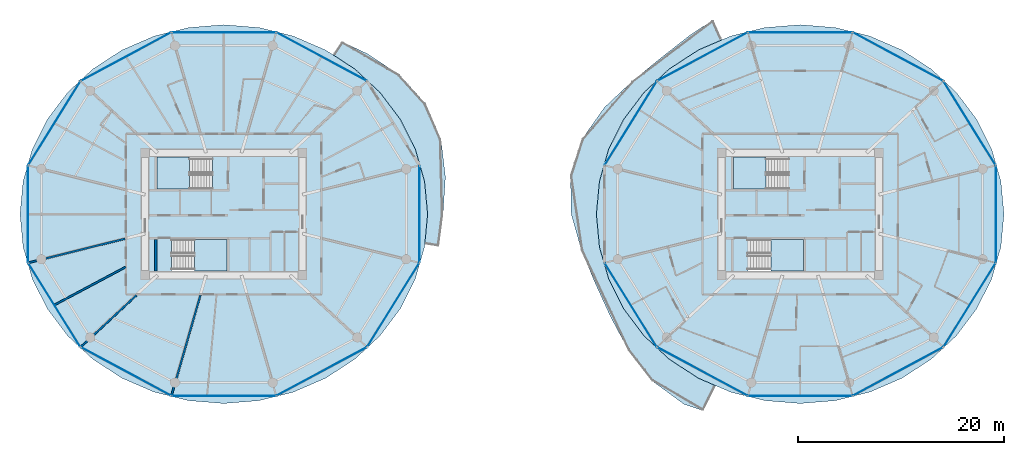
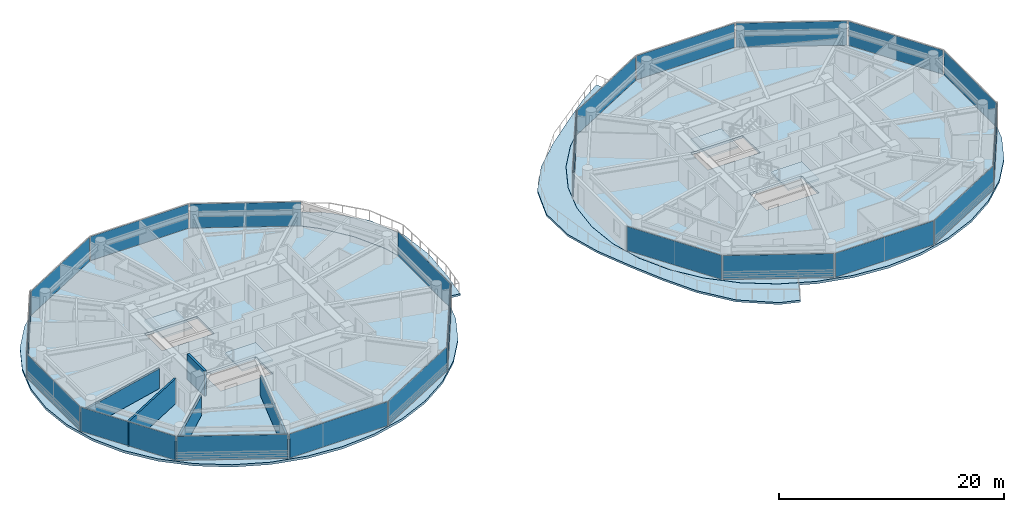
# One storey, part 14 of 26: 22 plates, 8 slabs, 5 walls, 26 elements without a shape of their own.
"""IFC4 building model written with IfcOpenShell, lengths in metres."""

from ifc_helpers import new_model, si_unit, direction, frame, frame_2d, origin, origin_2d, place, context, subcontext, project, spatial, polyline, rectangle, outline, extrude, source, transform, mapped, material, layer, layer_set, type_object, type_shapes, element, aggregate, save


model = new_model("IFC4")

# Units and contexts
model_context = context("Model", 3, precision=1e-05, world=origin(), true_north=direction((0.0, 1.0)))
body_context = subcontext(model_context, "Body", "Model", "MODEL_VIEW")
ifc_project = project(units=[si_unit("LENGTHUNIT", "METRE"), si_unit("AREAUNIT", "SQUARE_METRE"), si_unit("VOLUMEUNIT", "CUBIC_METRE"), si_unit("PLANEANGLEUNIT", "RADIAN"), si_unit("MASSUNIT", "GRAM", prefix="KILO")], contexts=[model_context])

# Site, building, storey
site_placement = place(None, origin())
site = spatial("IfcSite", under=ifc_project, at=site_placement, CompositionType="ELEMENT")
building_placement = place(site_placement, origin())
building = spatial("IfcBuilding", under=site, at=building_placement, Name="Norrkilde Senior Care Towers", CompositionType="ELEMENT")
storey_placement = place(building_placement, frame((0.0, 0.0, 70.39990234375)))
storey = spatial("IfcBuildingStorey", under=building, at=storey_placement, Name="L21", CompositionType="ELEMENT", Elevation=70.39990234375)

# Slabs
ifc_material_1 = material(Name="Concrete C50/60", Category="concrete")
ifc_layer_1 = layer(ifc_material_1, 0.215087890625)
ifc_layer_set_1 = layer_set([ifc_layer_1], Name="Concrete C50/60")
slab_type_1 = type_object("IfcSlabType", Name="Sinusoidal Balcony Ribbon Slab 215", PredefinedType="FLOOR", material=ifc_layer_set_1)
slab_1_placement = place(storey_placement, frame((0.0, 0.0, -0.21484375)))
element("IfcSlab", 1, at=slab_1_placement, inside=storey, type_object=slab_type_1, Name="L21 Drum W Swirling Senior Balcony 1", PredefinedType="FLOOR", context=body_context, shape_type="SweptSolid", body=[
    extrude(outline(polyline([(-10.93359375, 13.541748046875), (-8.39306640625, 10.728271484375), (-6.896240234375, 7.271484375), (-6.466064453125, 3.581298828125), (-6.701904296875, 0.0), (-7.10986328125, -3.129150390625), (-8.470458984375, -2.92529296875), (-8.195068359375, 0.0), (-8.495849609375, 3.196044921875), (-9.389404296875, 6.294921875), (-10.848388671875, 9.202392578125), (-12.828369140625, 11.83056640625), (-15.26953125, 14.09912109375), (-17.376953125, 15.470458984375), (-16.502685546875, 16.74365234375), (-14.097412109375, 15.6025390625), (-10.93359375, 13.541748046875)])), origin(), (0.0, 0.0, 1.0), 0.21484375),
])
slab_2_placement = place(storey_placement, frame((0.0, 0.0, -0.21484375)))
element("IfcSlab", 2, at=slab_2_placement, inside=storey, type_object=slab_type_1, Name="L21 Drum E Swirling Senior Balcony 1", PredefinedType="FLOOR", context=body_context, shape_type="SweptSolid", body=[
    extrude(outline(polyline([(13.623291015625, -16.210693359375), (11.295166015625, -13.215087890625), (9.580322265625, -9.990478515625), (8.11572265625, -6.7939453125), (6.746826171875, -3.52783203125), (5.759765625, 0.0), (5.68115234375, 3.730224609375), (6.817138671875, 7.302490234375), (8.978759765625, 10.3642578125), (11.65478515625, 12.890625), (14.44140625, 15.161376953125), (17.310791015625, 17.406005859375), (19.535400390625, 18.859130859375), (20.3984375, 16.936279296875), (18.097412109375, 15.939208984375), (15.26953125, 14.09912109375), (12.828369140625, 11.83056640625), (10.848388671875, 9.202392578125), (9.389404296875, 6.294921875), (8.495849609375, 3.196044921875), (8.195068359375, 0.0), (8.495849609375, -3.196044921875), (9.389404296875, -6.294921875), (10.848388671875, -9.202392578125), (12.828369140625, -11.83056640625), (15.26953125, -14.09912109375), (18.097412109375, -15.939208984375), (19.78125, -16.6689453125), (18.58056640625, -19.103759765625), (16.73095703125, -18.486572265625), (13.623291015625, -16.210693359375)])), origin(), (0.0, 0.0, 1.0), 0.21484375),
])

# Stair, slab
ifc_material_2 = material(Name="Concrete C45/55", Category="concrete")
stair_type = type_object("IfcStairType", Name="Core Protected Dogleg Stair Typical 3050", PredefinedType="HALF_TURN_STAIR", material=ifc_material_2)
stair_1_placement = place(storey_placement, origin())
stair_1 = element("IfcStair", 3, at=stair_1_placement, inside=storey, type_object=stair_type, Name="L21 Protected Core Stair W1", PredefinedType="HALF_TURN_STAIR")
ifc_layer_2 = layer(ifc_material_2, 0.199951171875)
ifc_layer_set_2 = layer_set([ifc_layer_2], Name="Concrete C45/55")
slab_type_2 = type_object("IfcSlabType", Name="Stair Landing Slab 200", PredefinedType="LANDING", material=ifc_layer_set_2)
slab_3_placement = place(storey_placement, frame((0.0, 0.0, 1.3251953125)))
slab_3 = element("IfcSlab", 4, at=slab_3_placement, type_object=slab_type_2, Name="ST-W1 landing 1", PredefinedType="LANDING", context=body_context, shape_type="SweptSolid", body=[
    extrude(outline(polyline([(-31.340087890625, 5.52490234375), (-34.5, 5.52490234375), (-34.5, 2.449951171875), (-31.340087890625, 2.449951171875), (-31.340087890625, 5.52490234375)])), origin(), (0.0, 0.0, 1.0), 0.199951171875),
])
aggregate(stair_1, [slab_3])

stair_2_placement = place(storey_placement, origin())
stair_2 = element("IfcStair", 5, at=stair_2_placement, inside=storey, type_object=stair_type, Name="L21 Protected Core Stair W2", PredefinedType="HALF_TURN_STAIR")
slab_4_placement = place(storey_placement, frame((0.0, 0.0, 1.3251953125)))
slab_4 = element("IfcSlab", 6, at=slab_4_placement, type_object=slab_type_2, Name="ST-W2 landing 1", PredefinedType="LANDING", context=body_context, shape_type="SweptSolid", body=[
    extrude(outline(polyline([(-30.860107421875, -5.52490234375), (-27.699951171875, -5.52490234375), (-27.699951171875, -2.449951171875), (-30.860107421875, -2.449951171875), (-30.860107421875, -5.52490234375)])), origin(), (0.0, 0.0, 1.0), 0.199951171875),
])
aggregate(stair_2, [slab_4])

stair_3_placement = place(storey_placement, origin())
stair_3 = element("IfcStair", 7, at=stair_3_placement, inside=storey, type_object=stair_type, Name="L21 Protected Core Stair E1", PredefinedType="HALF_TURN_STAIR")
slab_5_placement = place(storey_placement, frame((0.0, 0.0, 1.3251953125)))
slab_5 = element("IfcSlab", 8, at=slab_5_placement, type_object=slab_type_2, Name="ST-E1 landing 1", PredefinedType="LANDING", context=body_context, shape_type="SweptSolid", body=[
    extrude(outline(polyline([(24.659912109375, 5.52490234375), (21.5, 5.52490234375), (21.5, 2.449951171875), (24.659912109375, 2.449951171875), (24.659912109375, 5.52490234375)])), origin(), (0.0, 0.0, 1.0), 0.199951171875),
])
aggregate(stair_3, [slab_5])

stair_4_placement = place(storey_placement, origin())
stair_4 = element("IfcStair", 9, at=stair_4_placement, inside=storey, type_object=stair_type, Name="L21 Protected Core Stair E2", PredefinedType="HALF_TURN_STAIR")
slab_6_placement = place(storey_placement, frame((0.0, 0.0, 1.3251953125)))
slab_6 = element("IfcSlab", 10, at=slab_6_placement, type_object=slab_type_2, Name="ST-E2 landing 1", PredefinedType="LANDING", context=body_context, shape_type="SweptSolid", body=[
    extrude(outline(polyline([(25.139892578125, -5.52490234375), (28.300048828125, -5.52490234375), (28.300048828125, -2.449951171875), (25.139892578125, -2.449951171875), (25.139892578125, -5.52490234375)])), origin(), (0.0, 0.0, 1.0), 0.199951171875),
])
aggregate(stair_4, [slab_6])

# Slabs
ifc_layer_3 = layer(ifc_material_1, 0.260009765625)
ifc_layer_set_3 = layer_set([ifc_layer_3], Name="Concrete C50/60")
slab_type_3 = type_object("IfcSlabType", Name="Tower Care Floor Slab 260", PredefinedType="FLOOR", material=ifc_layer_set_3)
slab_7_placement = place(storey_placement, frame((0.0, 0.0, -0.260009765625)))
element("IfcSlab", 11, at=slab_7_placement, inside=storey, type_object=slab_type_3, Name="L21 Drum W Structural Floor Slab", PredefinedType="FLOOR", context=body_context, shape_type="SweptSolid", body=[
    extrude(outline(polyline([(-9.39404296875, -6.293212890625), (-10.852783203125, -9.199951171875), (-12.832275390625, -11.827392578125), (-15.272705078125, -14.09521484375), (-18.10009765625, -15.934814453125), (-21.22802734375, -17.290283203125), (-24.561767578125, -18.120361328125), (-28.0, -18.39990234375), (-31.438232421875, -18.120361328125), (-34.77197265625, -17.290283203125), (-37.89990234375, -15.934814453125), (-40.727294921875, -14.09521484375), (-43.167724609375, -11.827392578125), (-45.147216796875, -9.199951171875), (-46.60595703125, -6.293212890625), (-47.499267578125, -3.195068359375), (-47.800048828125, 0.0), (-47.499267578125, 3.195068359375), (-46.60595703125, 6.293212890625), (-45.147216796875, 9.199951171875), (-43.167724609375, 11.827392578125), (-40.727294921875, 14.09521484375), (-37.89990234375, 15.934814453125), (-34.77197265625, 17.290283203125), (-31.438232421875, 18.120361328125), (-28.0, 18.39990234375), (-24.561767578125, 18.120361328125), (-21.22802734375, 17.290283203125), (-18.10009765625, 15.934814453125), (-15.272705078125, 14.09521484375), (-12.832275390625, 11.827392578125), (-10.852783203125, 9.199951171875), (-9.39404296875, 6.293212890625), (-8.500732421875, 3.195068359375), (-8.199951171875, 0.0), (-8.500732421875, -3.195068359375), (-9.39404296875, -6.293212890625)]), holes=[polyline([(-34.48193359375, 2.468017578125), (-29.117919921875, 2.468017578125), (-29.117919921875, 5.52490234375), (-34.48193359375, 5.52490234375), (-34.48193359375, 2.468017578125)]), polyline([(-27.718017578125, -5.52490234375), (-27.718017578125, -2.468017578125), (-33.08203125, -2.468017578125), (-33.08203125, -5.52490234375), (-27.718017578125, -5.52490234375)])]), origin(), (0.0, 0.0, 1.0), 0.260009765625),
])
slab_8_placement = place(storey_placement, frame((0.0, 0.0, -0.260009765625)))
element("IfcSlab", 12, at=slab_8_placement, inside=storey, type_object=slab_type_3, Name="L21 Drum E Structural Floor Slab", PredefinedType="FLOOR", context=body_context, shape_type="SweptSolid", body=[
    extrude(outline(polyline([(46.60595703125, -6.293212890625), (45.147216796875, -9.199951171875), (43.167724609375, -11.827392578125), (40.727294921875, -14.09521484375), (37.89990234375, -15.934814453125), (34.77197265625, -17.290283203125), (31.438232421875, -18.120361328125), (28.0, -18.39990234375), (24.561767578125, -18.120361328125), (21.22802734375, -17.290283203125), (18.10009765625, -15.934814453125), (15.272705078125, -14.09521484375), (12.832275390625, -11.827392578125), (10.852783203125, -9.199951171875), (9.39404296875, -6.293212890625), (8.500732421875, -3.195068359375), (8.199951171875, 0.0), (8.500732421875, 3.195068359375), (9.39404296875, 6.293212890625), (10.852783203125, 9.199951171875), (12.832275390625, 11.827392578125), (15.272705078125, 14.09521484375), (18.10009765625, 15.934814453125), (21.22802734375, 17.290283203125), (24.561767578125, 18.120361328125), (28.0, 18.39990234375), (31.438232421875, 18.120361328125), (34.77197265625, 17.290283203125), (37.89990234375, 15.934814453125), (40.727294921875, 14.09521484375), (43.167724609375, 11.827392578125), (45.147216796875, 9.199951171875), (46.60595703125, 6.293212890625), (47.499267578125, 3.195068359375), (47.800048828125, 0.0), (47.499267578125, -3.195068359375), (46.60595703125, -6.293212890625)]), holes=[polyline([(21.51806640625, 2.468017578125), (26.882080078125, 2.468017578125), (26.882080078125, 5.52490234375), (21.51806640625, 5.52490234375), (21.51806640625, 2.468017578125)]), polyline([(28.281982421875, -5.52490234375), (28.281982421875, -2.468017578125), (22.91796875, -2.468017578125), (22.91796875, -5.52490234375), (28.281982421875, -5.52490234375)])]), origin(), (0.0, 0.0, 1.0), 0.260009765625),
])

# Curtain wall, plate
ifc_material_3 = material(Name="Triple Low-E Insulated Glazing", Category="glass")
ifc_layer_4 = layer(ifc_material_3, 0.199951171875)
ifc_layer_set_4 = layer_set([ifc_layer_4], Name="Triple Low-E Insulated Glazing")
curtain_wall_type = type_object("IfcCurtainWallType", Name="CW2 Zone 1 Memory Care Curtain Wall", PredefinedType="NOTDEFINED", material=ifc_layer_set_4)
curtain_wall_1_placement = place(storey_placement, origin())
curtain_wall_1 = element("IfcCurtainWall", 13, at=curtain_wall_1_placement, inside=storey, type_object=curtain_wall_type, Name="L21 Drum W Curtain Wall 01", PredefinedType="NOTDEFINED")
ifc_layer_5 = layer(ifc_material_3, 0.035888671875)
ifc_layer_set_5 = layer_set([ifc_layer_5], Name="Triple Low-E Insulated Glazing")
plate_type = type_object("IfcPlateType", Name="Triple Low-E Vision Curtain Panel 36", PredefinedType="CURTAIN_PANEL", material=ifc_layer_set_5)
shared_shape_1 = source(origin(), body_context, "Body", "SweptSolid", [
    extrude(rectangle(XDim=9.880859375, YDim=0.035888671875, at=origin_2d()), origin(), (0.0, 0.0, 1.0), 2.610107421875),
])
plate_1_placement = place(storey_placement, frame((-18.495361328125, 15.29150390625, 0.06005859375), z_axis=(0.0, 0.0, 1.0), x_axis=(0.881272866403, -0.472607802456, 0.0)))
plate_1 = element("IfcPlate", 14, at=plate_1_placement, type_object=plate_type, Name="CW-2 panel 1.1", PredefinedType="CURTAIN_PANEL", context=body_context, shape_type="MappedRepresentation", body=[
    mapped(shared_shape_1, transform((0.0, 0.0, 0.0), x_axis=(1.0, 0.0, 0.0), y_axis=(0.0, 1.0, 0.0), z_axis=(0.0, 0.0, 1.0), scale=1.0)),
])
aggregate(curtain_wall_1, [plate_1])

curtain_wall_2_placement = place(storey_placement, origin())
curtain_wall_2 = element("IfcCurtainWall", 15, at=curtain_wall_2_placement, inside=storey, type_object=curtain_wall_type, Name="L21 Drum W Curtain Wall 03", PredefinedType="NOTDEFINED")
plate_2_placement = place(storey_placement, frame((-37.504638671875, 15.29150390625, 0.06005859375), z_axis=(0.0, 0.0, 1.0), x_axis=(0.881272866403, 0.472607802456, 0.0)))
plate_2 = element("IfcPlate", 16, at=plate_2_placement, type_object=plate_type, Name="CW-2 panel 1.1", PredefinedType="CURTAIN_PANEL", context=body_context, shape_type="MappedRepresentation", body=[
    mapped(shared_shape_1, transform((0.0, 0.0, 0.0), x_axis=(1.0, 0.0, 0.0), y_axis=(0.0, 1.0, 0.0), z_axis=(0.0, 0.0, 1.0), scale=1.0)),
])
aggregate(curtain_wall_2, [plate_2])

curtain_wall_3_placement = place(storey_placement, origin())
curtain_wall_3 = element("IfcCurtainWall", 17, at=curtain_wall_3_placement, inside=storey, type_object=curtain_wall_type, Name="L21 Drum W Curtain Wall 07", PredefinedType="NOTDEFINED")
plate_3_placement = place(storey_placement, frame((-37.504638671875, -15.29150390625, 0.06005859375), z_axis=(0.0, 0.0, 1.0), x_axis=(-0.881272866403, 0.472607802456, 0.0)))
plate_3 = element("IfcPlate", 18, at=plate_3_placement, type_object=plate_type, Name="CW-2 panel 1.1", PredefinedType="CURTAIN_PANEL", context=body_context, shape_type="MappedRepresentation", body=[
    mapped(shared_shape_1, transform((0.0, 0.0, 0.0), x_axis=(1.0, 0.0, 0.0), y_axis=(0.0, 1.0, 0.0), z_axis=(0.0, 0.0, 1.0), scale=1.0)),
])
aggregate(curtain_wall_3, [plate_3])

curtain_wall_4_placement = place(storey_placement, origin())
curtain_wall_4 = element("IfcCurtainWall", 19, at=curtain_wall_4_placement, inside=storey, type_object=curtain_wall_type, Name="L21 Drum W Curtain Wall 09", PredefinedType="NOTDEFINED")
plate_4_placement = place(storey_placement, frame((-18.495361328125, -15.29150390625, 0.06005859375), z_axis=(0.0, 0.0, 1.0), x_axis=(-0.881272866403, -0.472607802456, 0.0)))
plate_4 = element("IfcPlate", 20, at=plate_4_placement, type_object=plate_type, Name="CW-2 panel 1.1", PredefinedType="CURTAIN_PANEL", context=body_context, shape_type="MappedRepresentation", body=[
    mapped(shared_shape_1, transform((0.0, 0.0, 0.0), x_axis=(1.0, 0.0, 0.0), y_axis=(0.0, 1.0, 0.0), z_axis=(0.0, 0.0, 1.0), scale=1.0)),
])
aggregate(curtain_wall_4, [plate_4])

curtain_wall_5_placement = place(storey_placement, origin())
curtain_wall_5 = element("IfcCurtainWall", 21, at=curtain_wall_5_placement, inside=storey, type_object=curtain_wall_type, Name="L21 Drum E Curtain Wall 01", PredefinedType="NOTDEFINED")
plate_5_placement = place(storey_placement, frame((37.504638671875, 15.29150390625, 0.06005859375), z_axis=(0.0, 0.0, 1.0), x_axis=(0.881272866403, -0.472607802456, 0.0)))
plate_5 = element("IfcPlate", 22, at=plate_5_placement, type_object=plate_type, Name="CW-2 panel 1.1", PredefinedType="CURTAIN_PANEL", context=body_context, shape_type="MappedRepresentation", body=[
    mapped(shared_shape_1, transform((0.0, 0.0, 0.0), x_axis=(1.0, 0.0, 0.0), y_axis=(0.0, 1.0, 0.0), z_axis=(0.0, 0.0, 1.0), scale=1.0)),
])
aggregate(curtain_wall_5, [plate_5])

curtain_wall_6_placement = place(storey_placement, origin())
curtain_wall_6 = element("IfcCurtainWall", 23, at=curtain_wall_6_placement, inside=storey, type_object=curtain_wall_type, Name="L21 Drum E Curtain Wall 03", PredefinedType="NOTDEFINED")
plate_6_placement = place(storey_placement, frame((18.495361328125, 15.29150390625, 0.06005859375), z_axis=(0.0, 0.0, 1.0), x_axis=(0.881272866403, 0.472607802456, 0.0)))
plate_6 = element("IfcPlate", 24, at=plate_6_placement, type_object=plate_type, Name="CW-2 panel 1.1", PredefinedType="CURTAIN_PANEL", context=body_context, shape_type="MappedRepresentation", body=[
    mapped(shared_shape_1, transform((0.0, 0.0, 0.0), x_axis=(1.0, 0.0, 0.0), y_axis=(0.0, 1.0, 0.0), z_axis=(0.0, 0.0, 1.0), scale=1.0)),
])
aggregate(curtain_wall_6, [plate_6])

curtain_wall_7_placement = place(storey_placement, origin())
curtain_wall_7 = element("IfcCurtainWall", 25, at=curtain_wall_7_placement, inside=storey, type_object=curtain_wall_type, Name="L21 Drum E Curtain Wall 07", PredefinedType="NOTDEFINED")
plate_7_placement = place(storey_placement, frame((18.495361328125, -15.29150390625, 0.06005859375), z_axis=(0.0, 0.0, 1.0), x_axis=(-0.881272866403, 0.472607802456, 0.0)))
plate_7 = element("IfcPlate", 26, at=plate_7_placement, type_object=plate_type, Name="CW-2 panel 1.1", PredefinedType="CURTAIN_PANEL", context=body_context, shape_type="MappedRepresentation", body=[
    mapped(shared_shape_1, transform((0.0, 0.0, 0.0), x_axis=(1.0, 0.0, 0.0), y_axis=(0.0, 1.0, 0.0), z_axis=(0.0, 0.0, 1.0), scale=1.0)),
])
aggregate(curtain_wall_7, [plate_7])

curtain_wall_8_placement = place(storey_placement, origin())
curtain_wall_8 = element("IfcCurtainWall", 27, at=curtain_wall_8_placement, inside=storey, type_object=curtain_wall_type, Name="L21 Drum E Curtain Wall 09", PredefinedType="NOTDEFINED")
plate_8_placement = place(storey_placement, frame((37.504638671875, -15.29150390625, 0.06005859375), z_axis=(0.0, 0.0, 1.0), x_axis=(-0.881272866403, -0.472607802456, 0.0)))
plate_8 = element("IfcPlate", 28, at=plate_8_placement, type_object=plate_type, Name="CW-2 panel 1.1", PredefinedType="CURTAIN_PANEL", context=body_context, shape_type="MappedRepresentation", body=[
    mapped(shared_shape_1, transform((0.0, 0.0, 0.0), x_axis=(1.0, 0.0, 0.0), y_axis=(0.0, 1.0, 0.0), z_axis=(0.0, 0.0, 1.0), scale=1.0)),
])
aggregate(curtain_wall_8, [plate_8])

curtain_wall_9_placement = place(storey_placement, origin())
curtain_wall_9 = element("IfcCurtainWall", 29, at=curtain_wall_9_placement, inside=storey, type_object=curtain_wall_type, Name="L21 Drum W Curtain Wall 02", PredefinedType="NOTDEFINED")
shared_shape_2 = source(origin(), body_context, "Body", "SweptSolid", [
    extrude(rectangle(XDim=10.05712890625, YDim=0.035888671875, at=origin_2d()), origin(), (0.0, 0.0, 1.0), 2.610107421875),
])
plate_9_placement = place(storey_placement, frame((-28.0, 17.6572265625, 0.06005859375), z_axis=(0.0, 0.0, 1.0), x_axis=(1.0, 0.0, 0.0)))
plate_9 = element("IfcPlate", 30, at=plate_9_placement, type_object=plate_type, Name="CW-2 panel 1.1", PredefinedType="CURTAIN_PANEL", context=body_context, shape_type="MappedRepresentation", body=[
    mapped(shared_shape_2, transform((0.0, 0.0, 0.0), x_axis=(1.0, 0.0, 0.0), y_axis=(0.0, 1.0, 0.0), z_axis=(0.0, 0.0, 1.0), scale=1.0)),
])
aggregate(curtain_wall_9, [plate_9])

curtain_wall_10_placement = place(storey_placement, origin())
curtain_wall_10 = element("IfcCurtainWall", 31, at=curtain_wall_10_placement, inside=storey, type_object=curtain_wall_type, Name="L21 Drum W Curtain Wall 08", PredefinedType="NOTDEFINED")
plate_10_placement = place(storey_placement, frame((-28.0, -17.6572265625, 0.06005859375), z_axis=(0.0, 0.0, 1.0), x_axis=(-1.0, 0.0, 0.0)))
plate_10 = element("IfcPlate", 32, at=plate_10_placement, type_object=plate_type, Name="CW-2 panel 1.1", PredefinedType="CURTAIN_PANEL", context=body_context, shape_type="MappedRepresentation", body=[
    mapped(shared_shape_2, transform((0.0, 0.0, 0.0), x_axis=(1.0, 0.0, 0.0), y_axis=(0.0, 1.0, 0.0), z_axis=(0.0, 0.0, 1.0), scale=1.0)),
])
aggregate(curtain_wall_10, [plate_10])

curtain_wall_11_placement = place(storey_placement, origin())
curtain_wall_11 = element("IfcCurtainWall", 33, at=curtain_wall_11_placement, inside=storey, type_object=curtain_wall_type, Name="L21 Drum E Curtain Wall 02", PredefinedType="NOTDEFINED")
plate_11_placement = place(storey_placement, frame((28.0, 17.6572265625, 0.06005859375), z_axis=(0.0, 0.0, 1.0), x_axis=(1.0, 0.0, 0.0)))
plate_11 = element("IfcPlate", 34, at=plate_11_placement, type_object=plate_type, Name="CW-2 panel 1.1", PredefinedType="CURTAIN_PANEL", context=body_context, shape_type="MappedRepresentation", body=[
    mapped(shared_shape_2, transform((0.0, 0.0, 0.0), x_axis=(1.0, 0.0, 0.0), y_axis=(0.0, 1.0, 0.0), z_axis=(0.0, 0.0, 1.0), scale=1.0)),
])
aggregate(curtain_wall_11, [plate_11])

curtain_wall_12_placement = place(storey_placement, origin())
curtain_wall_12 = element("IfcCurtainWall", 35, at=curtain_wall_12_placement, inside=storey, type_object=curtain_wall_type, Name="L21 Drum E Curtain Wall 08", PredefinedType="NOTDEFINED")
plate_12_placement = place(storey_placement, frame((28.0, -17.6572265625, 0.06005859375), z_axis=(0.0, 0.0, 1.0), x_axis=(-1.0, 0.0, 0.0)))
plate_12 = element("IfcPlate", 36, at=plate_12_placement, type_object=plate_type, Name="CW-2 panel 1.1", PredefinedType="CURTAIN_PANEL", context=body_context, shape_type="MappedRepresentation", body=[
    mapped(shared_shape_2, transform((0.0, 0.0, 0.0), x_axis=(1.0, 0.0, 0.0), y_axis=(0.0, 1.0, 0.0), z_axis=(0.0, 0.0, 1.0), scale=1.0)),
])
aggregate(curtain_wall_12, [plate_12])

curtain_wall_13_placement = place(storey_placement, origin())
curtain_wall_13 = element("IfcCurtainWall", 37, at=curtain_wall_13_placement, inside=storey, type_object=curtain_wall_type, Name="L21 Drum W Curtain Wall 04", PredefinedType="NOTDEFINED")
shared_shape_3 = source(origin(), body_context, "Body", "SweptSolid", [
    extrude(rectangle(XDim=9.518798828125, YDim=0.035888671875, at=origin_2d()), origin(), (0.0, 0.0, 1.0), 2.610107421875),
])
plate_13_placement = place(storey_placement, frame((-44.462646484375, 8.82861328125, 0.06005859375), z_axis=(0.0, 0.0, 1.0), x_axis=(0.527900951871, 0.849305943117, 0.0)))
plate_13 = element("IfcPlate", 38, at=plate_13_placement, type_object=plate_type, Name="CW-2 panel 1.1", PredefinedType="CURTAIN_PANEL", context=body_context, shape_type="MappedRepresentation", body=[
    mapped(shared_shape_3, transform((0.0, 0.0, 0.0), x_axis=(1.0, 0.0, 0.0), y_axis=(0.0, 1.0, 0.0), z_axis=(0.0, 0.0, 1.0), scale=1.0)),
])
aggregate(curtain_wall_13, [plate_13])

curtain_wall_14_placement = place(storey_placement, origin())
curtain_wall_14 = element("IfcCurtainWall", 39, at=curtain_wall_14_placement, inside=storey, type_object=curtain_wall_type, Name="L21 Drum W Curtain Wall 06", PredefinedType="NOTDEFINED")
plate_14_placement = place(storey_placement, frame((-44.462646484375, -8.82861328125, 0.06005859375), z_axis=(0.0, 0.0, 1.0), x_axis=(-0.527900951871, 0.849305943117, 0.0)))
plate_14 = element("IfcPlate", 40, at=plate_14_placement, type_object=plate_type, Name="CW-2 panel 1.1", PredefinedType="CURTAIN_PANEL", context=body_context, shape_type="MappedRepresentation", body=[
    mapped(shared_shape_3, transform((0.0, 0.0, 0.0), x_axis=(1.0, 0.0, 0.0), y_axis=(0.0, 1.0, 0.0), z_axis=(0.0, 0.0, 1.0), scale=1.0)),
])
aggregate(curtain_wall_14, [plate_14])

curtain_wall_15_placement = place(storey_placement, origin())
curtain_wall_15 = element("IfcCurtainWall", 41, at=curtain_wall_15_placement, inside=storey, type_object=curtain_wall_type, Name="L21 Drum W Curtain Wall 10", PredefinedType="NOTDEFINED")
plate_15_placement = place(storey_placement, frame((-11.537353515625, -8.82861328125, 0.06005859375), z_axis=(0.0, 0.0, 1.0), x_axis=(-0.527900951871, -0.849305943117, 0.0)))
plate_15 = element("IfcPlate", 42, at=plate_15_placement, type_object=plate_type, Name="CW-2 panel 1.1", PredefinedType="CURTAIN_PANEL", context=body_context, shape_type="MappedRepresentation", body=[
    mapped(shared_shape_3, transform((0.0, 0.0, 0.0), x_axis=(1.0, 0.0, 0.0), y_axis=(0.0, 1.0, 0.0), z_axis=(0.0, 0.0, 1.0), scale=1.0)),
])
aggregate(curtain_wall_15, [plate_15])

curtain_wall_16_placement = place(storey_placement, origin())
curtain_wall_16 = element("IfcCurtainWall", 43, at=curtain_wall_16_placement, inside=storey, type_object=curtain_wall_type, Name="L21 Drum E Curtain Wall 00", PredefinedType="NOTDEFINED")
plate_16_placement = place(storey_placement, frame((44.462646484375, 8.82861328125, 0.06005859375), z_axis=(0.0, 0.0, 1.0), x_axis=(0.527900951871, -0.849305943117, 0.0)))
plate_16 = element("IfcPlate", 44, at=plate_16_placement, type_object=plate_type, Name="CW-2 panel 1.1", PredefinedType="CURTAIN_PANEL", context=body_context, shape_type="MappedRepresentation", body=[
    mapped(shared_shape_3, transform((0.0, 0.0, 0.0), x_axis=(1.0, 0.0, 0.0), y_axis=(0.0, 1.0, 0.0), z_axis=(0.0, 0.0, 1.0), scale=1.0)),
])
aggregate(curtain_wall_16, [plate_16])

curtain_wall_17_placement = place(storey_placement, origin())
curtain_wall_17 = element("IfcCurtainWall", 45, at=curtain_wall_17_placement, inside=storey, type_object=curtain_wall_type, Name="L21 Drum E Curtain Wall 04", PredefinedType="NOTDEFINED")
plate_17_placement = place(storey_placement, frame((11.537353515625, 8.82861328125, 0.06005859375), z_axis=(0.0, 0.0, 1.0), x_axis=(0.527900951871, 0.849305943117, 0.0)))
plate_17 = element("IfcPlate", 46, at=plate_17_placement, type_object=plate_type, Name="CW-2 panel 1.1", PredefinedType="CURTAIN_PANEL", context=body_context, shape_type="MappedRepresentation", body=[
    mapped(shared_shape_3, transform((0.0, 0.0, 0.0), x_axis=(1.0, 0.0, 0.0), y_axis=(0.0, 1.0, 0.0), z_axis=(0.0, 0.0, 1.0), scale=1.0)),
])
aggregate(curtain_wall_17, [plate_17])

curtain_wall_18_placement = place(storey_placement, origin())
curtain_wall_18 = element("IfcCurtainWall", 47, at=curtain_wall_18_placement, inside=storey, type_object=curtain_wall_type, Name="L21 Drum E Curtain Wall 06", PredefinedType="NOTDEFINED")
plate_18_placement = place(storey_placement, frame((11.537353515625, -8.82861328125, 0.06005859375), z_axis=(0.0, 0.0, 1.0), x_axis=(-0.527900951871, 0.849305943117, 0.0)))
plate_18 = element("IfcPlate", 48, at=plate_18_placement, type_object=plate_type, Name="CW-2 panel 1.1", PredefinedType="CURTAIN_PANEL", context=body_context, shape_type="MappedRepresentation", body=[
    mapped(shared_shape_3, transform((0.0, 0.0, 0.0), x_axis=(1.0, 0.0, 0.0), y_axis=(0.0, 1.0, 0.0), z_axis=(0.0, 0.0, 1.0), scale=1.0)),
])
aggregate(curtain_wall_18, [plate_18])

curtain_wall_19_placement = place(storey_placement, origin())
curtain_wall_19 = element("IfcCurtainWall", 49, at=curtain_wall_19_placement, inside=storey, type_object=curtain_wall_type, Name="L21 Drum E Curtain Wall 10", PredefinedType="NOTDEFINED")
plate_19_placement = place(storey_placement, frame((44.462646484375, -8.82861328125, 0.06005859375), z_axis=(0.0, 0.0, 1.0), x_axis=(-0.527900951871, -0.849305943117, 0.0)))
plate_19 = element("IfcPlate", 50, at=plate_19_placement, type_object=plate_type, Name="CW-2 panel 1.1", PredefinedType="CURTAIN_PANEL", context=body_context, shape_type="MappedRepresentation", body=[
    mapped(shared_shape_3, transform((0.0, 0.0, 0.0), x_axis=(1.0, 0.0, 0.0), y_axis=(0.0, 1.0, 0.0), z_axis=(0.0, 0.0, 1.0), scale=1.0)),
])
aggregate(curtain_wall_19, [plate_19])

curtain_wall_20_placement = place(storey_placement, origin())
curtain_wall_20 = element("IfcCurtainWall", 51, at=curtain_wall_20_placement, inside=storey, type_object=curtain_wall_type, Name="L21 Drum W Curtain Wall 05", PredefinedType="NOTDEFINED")
shared_shape_4 = source(origin(), body_context, "Body", "SweptSolid", [
    extrude(rectangle(XDim=9.33251953125, YDim=0.035888671875, at=origin_2d()), origin(), (0.0, 0.0, 1.0), 2.610107421875),
])
type_shapes(plate_type, [shared_shape_1, shared_shape_2, shared_shape_3, shared_shape_4])
plate_20_placement = place(storey_placement, frame((-47.009521484375, 0.0, 0.06005859375), z_axis=(0.0, 0.0, 1.0), x_axis=(0.0, 1.0, 0.0)))
plate_20 = element("IfcPlate", 52, at=plate_20_placement, type_object=plate_type, Name="CW-2 panel 1.1", PredefinedType="CURTAIN_PANEL", context=body_context, shape_type="MappedRepresentation", body=[
    mapped(shared_shape_4, transform((0.0, 0.0, 0.0), x_axis=(1.0, 0.0, 0.0), y_axis=(0.0, 1.0, 0.0), z_axis=(0.0, 0.0, 1.0), scale=1.0)),
])
aggregate(curtain_wall_20, [plate_20])

curtain_wall_21_placement = place(storey_placement, origin())
curtain_wall_21 = element("IfcCurtainWall", 53, at=curtain_wall_21_placement, inside=storey, type_object=curtain_wall_type, Name="L21 Drum W Curtain Wall 11", PredefinedType="NOTDEFINED")
plate_21_placement = place(storey_placement, frame((-8.990478515625, 0.0, 0.06005859375), z_axis=(0.0, 0.0, 1.0), x_axis=(0.0, -1.0, 0.0)))
plate_21 = element("IfcPlate", 54, at=plate_21_placement, type_object=plate_type, Name="CW-2 panel 1.1", PredefinedType="CURTAIN_PANEL", context=body_context, shape_type="MappedRepresentation", body=[
    mapped(shared_shape_4, transform((0.0, 0.0, 0.0), x_axis=(1.0, 0.0, 0.0), y_axis=(0.0, 1.0, 0.0), z_axis=(0.0, 0.0, 1.0), scale=1.0)),
])
aggregate(curtain_wall_21, [plate_21])

curtain_wall_22_placement = place(storey_placement, origin())
curtain_wall_22 = element("IfcCurtainWall", 55, at=curtain_wall_22_placement, inside=storey, type_object=curtain_wall_type, Name="L21 Drum E Curtain Wall 11", PredefinedType="NOTDEFINED")
plate_22_placement = place(storey_placement, frame((47.009521484375, 0.0, 0.06005859375), z_axis=(0.0, 0.0, 1.0), x_axis=(0.0, -1.0, 0.0)))
plate_22 = element("IfcPlate", 56, at=plate_22_placement, type_object=plate_type, Name="CW-2 panel 1.1", PredefinedType="CURTAIN_PANEL", context=body_context, shape_type="MappedRepresentation", body=[
    mapped(shared_shape_4, transform((0.0, 0.0, 0.0), x_axis=(1.0, 0.0, 0.0), y_axis=(0.0, 1.0, 0.0), z_axis=(0.0, 0.0, 1.0), scale=1.0)),
])
aggregate(curtain_wall_22, [plate_22])

# Walls
ifc_layer_6 = layer(ifc_material_2, 0.239990234375)
ifc_layer_set_6 = layer_set([ifc_layer_6], Name="Concrete C45/55")
wall_type_1 = type_object("IfcWallType", Name="Shaft and Stair Enclosure Wall 240", PredefinedType="PARTITIONING", material=ifc_layer_set_6)
shared_shape_5 = source(origin(), body_context, "Body", "SweptSolid", [
    extrude(rectangle(XDim=3.074951171875, YDim=0.239990234375, at=frame_2d((1.53759765625, 0.0))), origin(), (0.0, 0.0, 1.0), 2.72998046875),
])
type_shapes(wall_type_1, [shared_shape_5])
wall_1_placement = place(storey_placement, frame((-34.6201171875, -5.52490234375, 0.0), z_axis=(0.0, 0.0, 1.0), x_axis=(0.0, 1.0, 0.0)))
element("IfcWall", 57, at=wall_1_placement, inside=storey, type_object=wall_type_1, Name="WL-INT-L21-W-ST2W", PredefinedType="PARTITIONING", context=body_context, shape_type="MappedRepresentation", body=[
    mapped(shared_shape_5, transform((0.0, 0.0, 0.0), x_axis=(1.0, 0.0, 0.0), y_axis=(0.0, 1.0, 0.0), z_axis=(0.0, 0.0, 1.0), scale=1.0)),
])
ifc_material_4 = material(Name="Gypsum Acoustic Board")
ifc_layer_7 = layer(ifc_material_4, 0.18994140625)
ifc_layer_set_7 = layer_set([ifc_layer_7], Name="Gypsum Acoustic Board")
wall_type_2 = type_object("IfcWallType", Name="Unit Demising Acoustic Wall 190", PredefinedType="PARTITIONING", material=ifc_layer_set_7)
shared_shape_6 = source(origin(), body_context, "Body", "SweptSolid", [
    extrude(rectangle(XDim=9.737060546875, YDim=0.18994140625, at=frame_2d((4.86865234375, 0.0))), origin(), (0.0, 0.0, 1.0), 2.1650390625),
])
wall_2_placement = place(storey_placement, frame((-37.580078125, -2.384521484375, 0.0), z_axis=(0.0, 0.0, 1.0), x_axis=(-0.970392716238, -0.241532557375, 0.0)))
element("IfcWall", 58, at=wall_2_placement, inside=storey, type_object=wall_type_2, Name="WL-INT-L21-W-DEM-06-0", PredefinedType="PARTITIONING", context=body_context, shape_type="MappedRepresentation", body=[
    mapped(shared_shape_6, transform((0.0, 0.0, 0.0), x_axis=(1.0, 0.0, 0.0), y_axis=(0.0, 1.0, 0.0), z_axis=(0.0, 0.0, 1.0), scale=1.0)),
])
shared_shape_7 = source(origin(), body_context, "Body", "SweptSolid", [
    extrude(rectangle(XDim=7.4345703125, YDim=0.18994140625, at=frame_2d((3.71728515625, 0.0))), origin(), (0.0, 0.0, 1.0), 2.1650390625),
])
wall_3_placement = place(storey_placement, frame((-36.48291015625, -7.8798828125, 0.0), z_axis=(0.0, 0.0, 1.0), x_axis=(-0.732651956848, -0.680603489652, 0.0)))
element("IfcWall", 59, at=wall_3_placement, inside=storey, type_object=wall_type_2, Name="WL-INT-L21-W-DEM-07-0", PredefinedType="PARTITIONING", context=body_context, shape_type="MappedRepresentation", body=[
    mapped(shared_shape_7, transform((0.0, 0.0, 0.0), x_axis=(1.0, 0.0, 0.0), y_axis=(0.0, 1.0, 0.0), z_axis=(0.0, 0.0, 1.0), scale=1.0)),
])
shared_shape_8 = source(origin(), body_context, "Body", "SweptSolid", [
    extrude(rectangle(XDim=7.873291015625, YDim=0.18994140625, at=frame_2d((3.9365234375, 0.0))), origin(), (0.0, 0.0, 1.0), 2.715087890625),
])
wall_4_placement = place(storey_placement, frame((-37.530029296875, -5.1376953125, 0.0), z_axis=(0.0, 0.0, 1.0), x_axis=(-0.882666052726, -0.470000680175, 0.0)))
element("IfcWall", 60, at=wall_4_placement, inside=storey, type_object=wall_type_2, Name="WL-INT-L21-W-MID-06", PredefinedType="PARTITIONING", context=body_context, shape_type="MappedRepresentation", body=[
    mapped(shared_shape_8, transform((0.0, 0.0, 0.0), x_axis=(1.0, 0.0, 0.0), y_axis=(0.0, 1.0, 0.0), z_axis=(0.0, 0.0, 1.0), scale=1.0)),
])
shared_shape_9 = source(origin(), body_context, "Body", "SweptSolid", [
    extrude(rectangle(XDim=10.196044921875, YDim=0.18994140625, at=frame_2d((5.09814453125, 0.0))), origin(), (0.0, 0.0, 1.0), 2.1650390625),
])
type_shapes(wall_type_2, [shared_shape_6, shared_shape_7, shared_shape_8, shared_shape_9])
wall_5_placement = place(storey_placement, frame((-30.27294921875, -7.8798828125, 0.0), z_axis=(0.0, 0.0, 1.0), x_axis=(-0.277136420347, -0.960830580549, 0.0)))
element("IfcWall", 61, at=wall_5_placement, inside=storey, type_object=wall_type_2, Name="WL-INT-L21-W-DEM-08-0", PredefinedType="PARTITIONING", context=body_context, shape_type="MappedRepresentation", body=[
    mapped(shared_shape_9, transform((0.0, 0.0, 0.0), x_axis=(1.0, 0.0, 0.0), y_axis=(0.0, 1.0, 0.0), z_axis=(0.0, 0.0, 1.0), scale=1.0)),
])

save(model, "model.ifc")
